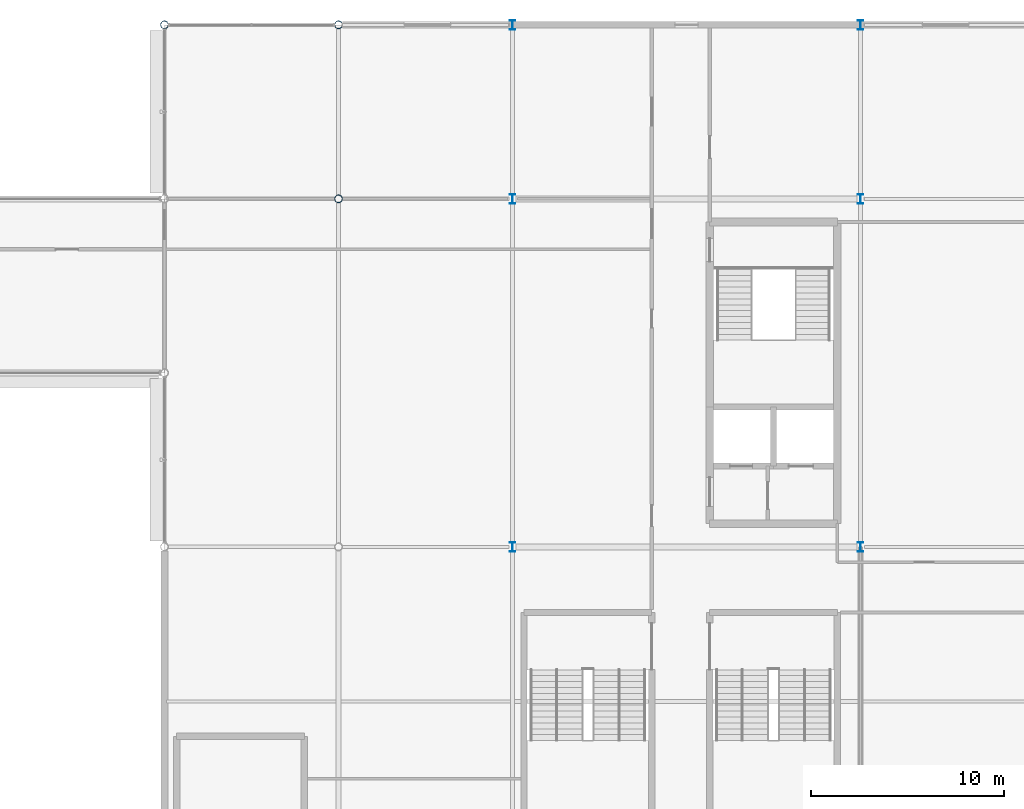
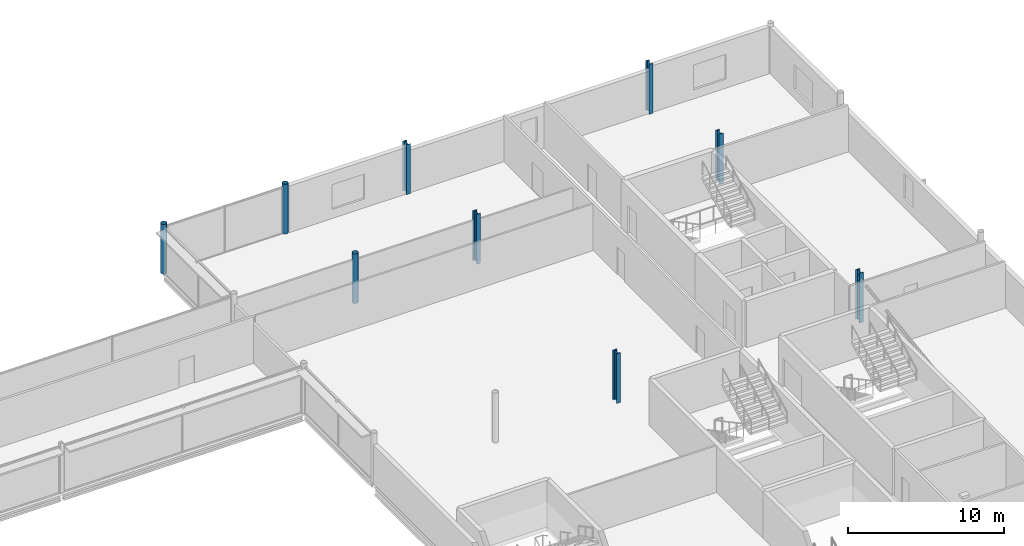
# One storey, part 15 of 96: 9 columns.
"""IFC4 building model written with IfcOpenShell, lengths in metres."""

from ifc_helpers import new_model, si_unit, direction, frame, origin, origin_2d, place, context, subcontext, project, spatial, hollow_circle, i_section, extrude, material, material_profile, profile_set, type_object, element, save


model = new_model("IFC4")

# Units and contexts
model_context = context("Model", 3, precision=1e-05, world=origin(), true_north=direction((0.0, 1.0)))
body_context = subcontext(model_context, "Body", "Model", "MODEL_VIEW")
ifc_project = project(units=[si_unit("LENGTHUNIT", "METRE"), si_unit("AREAUNIT", "SQUARE_METRE"), si_unit("VOLUMEUNIT", "CUBIC_METRE"), si_unit("PLANEANGLEUNIT", "RADIAN"), si_unit("MASSUNIT", "GRAM", prefix="KILO")], contexts=[model_context])

# Site, building, storey
site_placement = place(None, origin())
site = spatial("IfcSite", under=ifc_project, at=site_placement, CompositionType="ELEMENT")
building_placement = place(site_placement, origin())
building = spatial("IfcBuilding", under=site, at=building_placement, Name="Kisiwana Market Hall", CompositionType="ELEMENT")
storey_placement = place(building_placement, frame((0.0, 0.0, 25.5)))
storey = spatial("IfcBuildingStorey", under=building, at=storey_placement, Name="L05", CompositionType="ELEMENT", Elevation=25.5)

# Columns
ifc_material_1 = material(Name="Steel S355", Category="steel")
ifc_material_profile_1 = material_profile(ifc_material_1, hollow_circle(Radius=0.203125, WallThickness=0.01611328125, at=origin_2d()), Name="CHS 406.4x16")
ifc_profile_set_1 = profile_set([ifc_material_profile_1], Name="Steel S355")
column_type_1 = type_object("IfcColumnType", Name="COL-STL-CHS406", PredefinedType="COLUMN", material=ifc_profile_set_1)
for number, where, z_axis, x_axis, name in (
    (1, (153.0, 111.0, 0.0), (0.0, 0.0, 1.0), (1.0, 0.0, 0.0), "Column P/18 (L05) C-0945"),
    (2, (162.0, 102.0, 0.0), (0.0, 0.0, 1.0), (1.0, 0.0, 0.0), "Column N/19 (L05) C-0950"),
    (3, (162.0, 111.0, 0.0), (0.0, 0.0, 1.0), (1.0, 0.0, 0.0), "Column P/19 (L05) C-0951"),
):
    element("IfcColumn", number, at=place(storey_placement, frame(where, z_axis=z_axis, x_axis=x_axis)), inside=storey, type_object=column_type_1, Name=name, PredefinedType="COLUMN", context=body_context, shape_type="SweptSolid", body=[
        extrude(hollow_circle(Radius=0.203125, WallThickness=0.01611328125, at=origin_2d()), origin(), (0.0, 0.0, 1.0), 3.89990234375),
    ])
ifc_material_2 = material(Name="Steel S355", Category="steel")
ifc_material_profile_2 = material_profile(ifc_material_2, i_section(OverallWidth=0.300048828125, OverallDepth=0.5, WebThickness=0.014404296875, FlangeThickness=0.028076171875, FilletRadius=0.027099609375, at=origin_2d()), Name="HEB 500")
ifc_profile_set_2 = profile_set([ifc_material_profile_2], Name="Steel S355")
column_type_2 = type_object("IfcColumnType", Name="COL-STL-HEB500", PredefinedType="COLUMN", material=ifc_profile_set_2)
for number, where, z_axis, x_axis, name in (
    (4, (171.0, 84.0, 0.0), (0.0, 0.0, 1.0), (1.0, 0.0, 0.0), "Column L/20 (L05) C-0956"),
    (5, (171.0, 102.0, 0.0), (0.0, 0.0, 1.0), (1.0, 0.0, 0.0), "Column N/20 (L05) C-0957"),
    (6, (171.0, 111.0, 0.0), (0.0, 0.0, 1.0), (1.0, 0.0, 0.0), "Column P/20 (L05) C-0958"),
    (7, (189.0, 84.0, 0.0), (0.0, 0.0, 1.0), (1.0, 0.0, 0.0), "Column L/22 (L05) C-0962"),
    (8, (189.0, 102.0, 0.0), (0.0, 0.0, 1.0), (1.0, 0.0, 0.0), "Column N/22 (L05) C-0963"),
    (9, (189.0, 111.0, 0.0), (0.0, 0.0, 1.0), (1.0, 0.0, 0.0), "Column P/22 (L05) C-0964"),
):
    element("IfcColumn", number, at=place(storey_placement, frame(where, z_axis=z_axis, x_axis=x_axis)), inside=storey, type_object=column_type_2, Name=name, PredefinedType="COLUMN", context=body_context, shape_type="SweptSolid", body=[
        extrude(i_section(OverallWidth=0.300048828125, OverallDepth=0.5, WebThickness=0.014404296875, FlangeThickness=0.028076171875, FilletRadius=0.027099609375, at=origin_2d()), origin(), (0.0, 0.0, 1.0), 3.89990234375),
    ])

save(model, "model.ifc")
